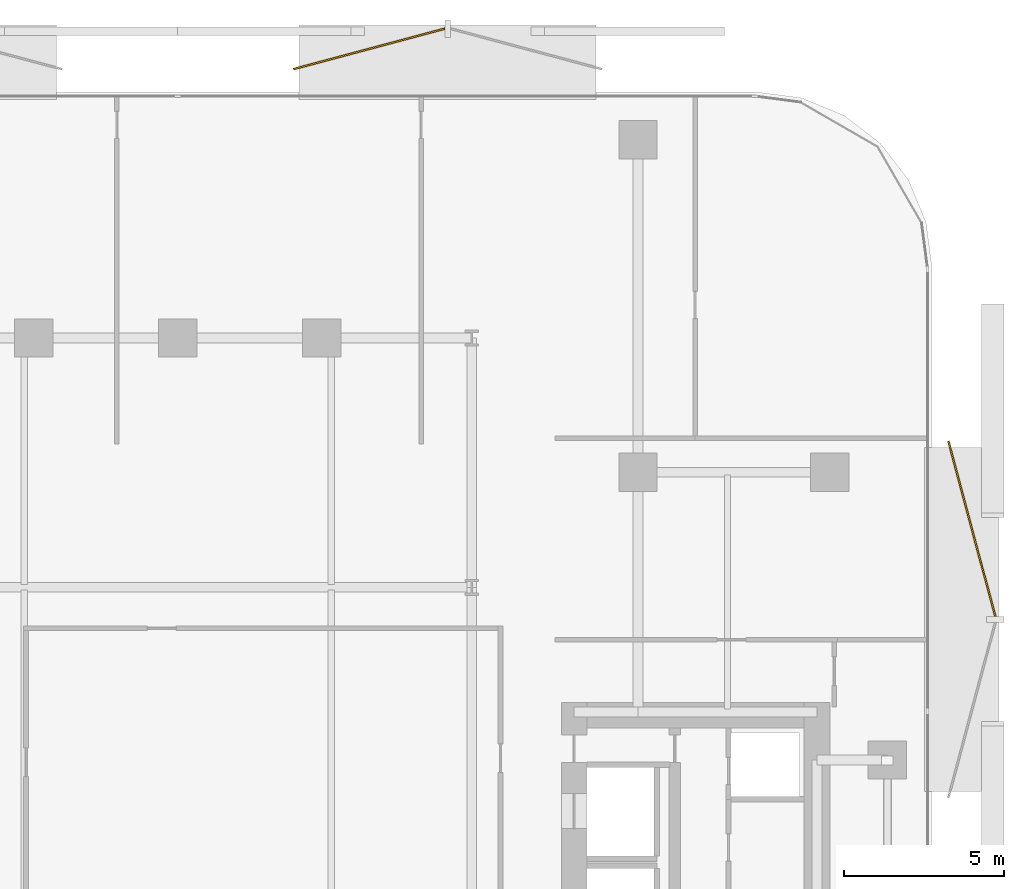
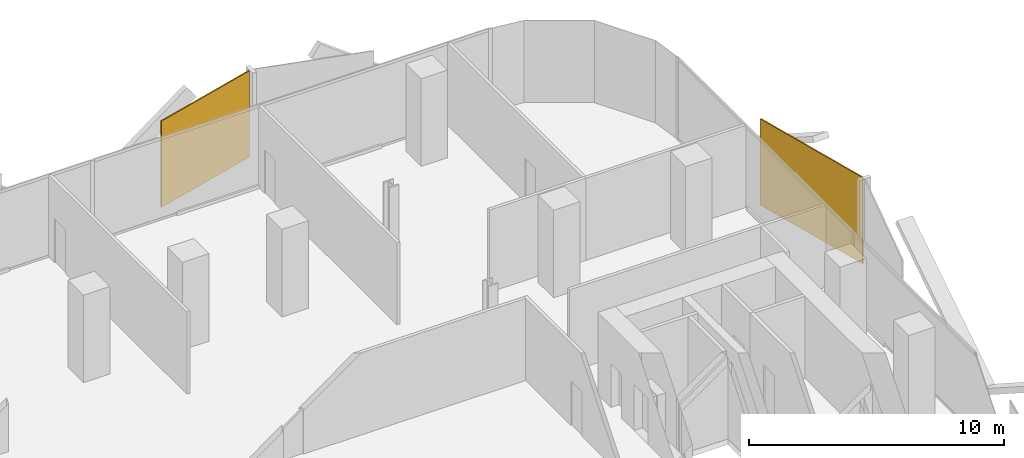
# One storey, part 15 of 15: 2 coverings.
"""IFC4 building model written with IfcOpenShell, lengths in metres."""

from ifc_helpers import new_model, si_unit, direction, frame, origin, origin_2d, place, context, subcontext, project, spatial, rectangle, extrude, material, layer, layer_set, type_object, element, save


model = new_model("IFC4")

# Units and contexts
model_context = context("Model", 3, precision=1e-05, world=origin(), true_north=direction((0.0, 1.0)))
body_context = subcontext(model_context, "Body", "Model", "MODEL_VIEW")
ifc_project = project(units=[si_unit("LENGTHUNIT", "METRE"), si_unit("AREAUNIT", "SQUARE_METRE"), si_unit("VOLUMEUNIT", "CUBIC_METRE"), si_unit("PLANEANGLEUNIT", "RADIAN"), si_unit("MASSUNIT", "GRAM", prefix="KILO")], contexts=[model_context])

# Site, building, storey
site_placement = place(None, origin())
site = spatial("IfcSite", under=ifc_project, at=site_placement, CompositionType="ELEMENT")
building_placement = place(site_placement, origin())
building = spatial("IfcBuilding", under=site, at=building_placement, Name="Khairoan Windgate Tower", CompositionType="ELEMENT")
storey_placement = place(building_placement, frame((0.0, 0.0, 118.39990234375)))
storey = spatial("IfcBuildingStorey", under=building, at=storey_placement, Name="L27", CompositionType="ELEMENT", Elevation=118.39990234375)

# Coverings
ifc_material = material(Name="Anodised Bronze Aluminium 6063-T6", Category="aluminium")
ifc_layer = layer(ifc_material, 0.054931640625, Name="Anodised Bronze Aluminium 6063-T6")
ifc_layer_set = layer_set([ifc_layer], Name="Anodised Bronze Aluminium 6063-T6")
covering_type = type_object("IfcCoveringType", Name="Perforated Bronze-Ceramic Folded Solar Screen Cladding BSC-1", PredefinedType="CLADDING", material=ifc_layer_set)
covering_1_placement = place(storey_placement, frame((5.98974609375, 27.646240234375, -0.099609375), z_axis=(0.0, 0.0, 1.0), x_axis=(0.965925826289, 0.258819045103, 0.0)))
element("IfcCovering", 1, at=covering_1_placement, inside=storey, type_object=covering_type, Name="L27 Folded Bronze Solar Screen Facet 166L", PredefinedType="CLADDING", context=body_context, shape_type="SweptSolid", body=[
    extrude(rectangle(XDim=4.89794921875, YDim=0.054931640625, at=origin_2d()), origin(), (0.0, 0.0, 1.0), 4.139892578125),
])
covering_2_placement = place(storey_placement, frame((24.8447265625, 12.629150390625, -0.099609375), z_axis=(0.0, 0.0, 1.0), x_axis=(0.258819045103, -0.965925826289, 0.0)))
element("IfcCovering", 2, at=covering_2_placement, inside=storey, type_object=covering_type, Name="L27 Folded Bronze Solar Screen Facet 167L", PredefinedType="CLADDING", context=body_context, shape_type="SweptSolid", body=[
    extrude(rectangle(XDim=5.680908203125, YDim=0.054931640625, at=origin_2d()), origin(), (0.0, 0.0, 1.0), 4.139892578125),
])

save(model, "model.ifc")
